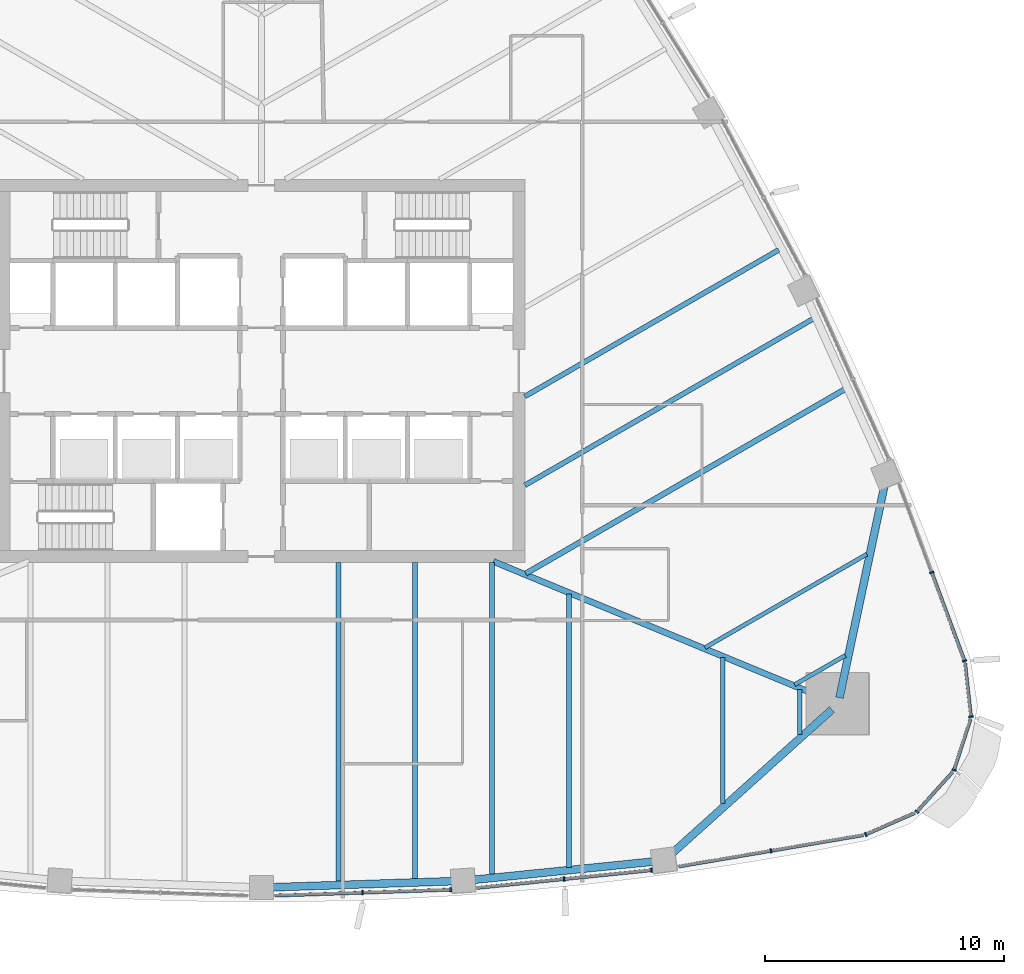
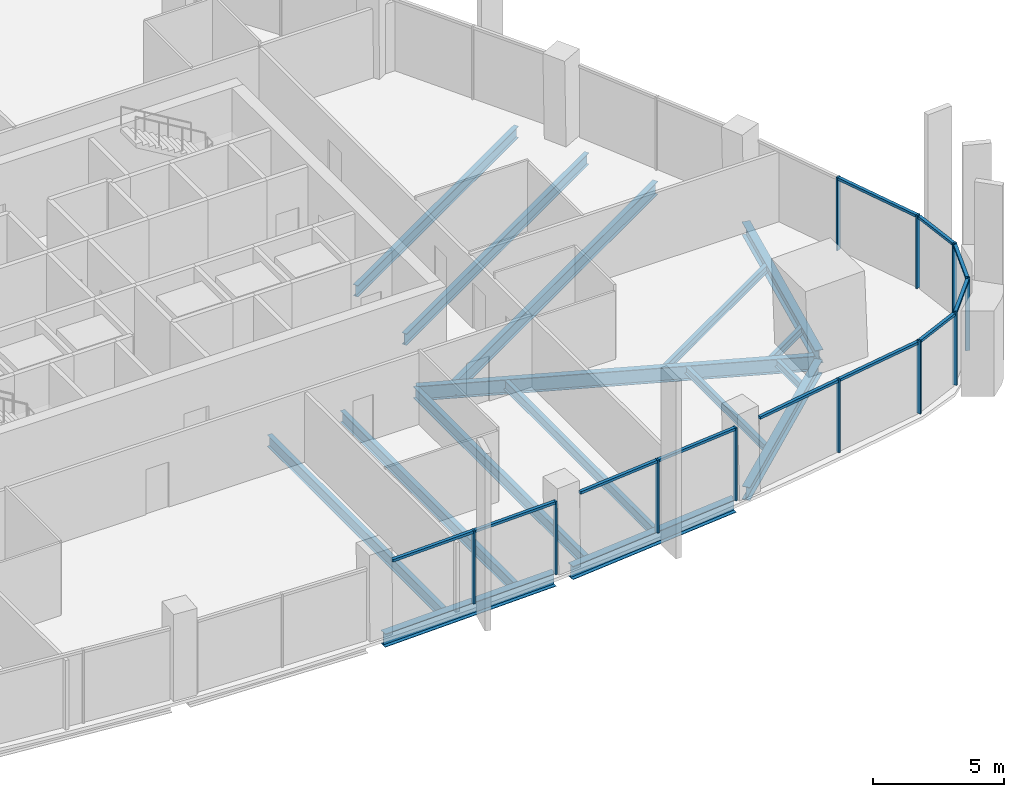
# One storey, part 4 of 20: 22 members, 16 beams, 8 elements without a shape of their own.
"""IFC4 building model written with IfcOpenShell, lengths in metres."""

from ifc_helpers import new_model, si_unit, direction, frame, origin, origin_2d, place, context, subcontext, project, spatial, rectangle, i_section, extrude, material, layer, layer_set, material_profile, profile_set, type_object, element, aggregate, save


model = new_model("IFC4")

# Units and contexts
model_context = context("Model", 3, precision=1e-05, world=origin(), true_north=direction((0.0, 1.0)))
body_context = subcontext(model_context, "Body", "Model", "MODEL_VIEW")
ifc_project = project(units=[si_unit("LENGTHUNIT", "METRE"), si_unit("AREAUNIT", "SQUARE_METRE"), si_unit("VOLUMEUNIT", "CUBIC_METRE"), si_unit("PLANEANGLEUNIT", "RADIAN"), si_unit("MASSUNIT", "GRAM", prefix="KILO")], contexts=[model_context])

# Site, building, storey
site_placement = place(None, origin())
site = spatial("IfcSite", under=ifc_project, at=site_placement, CompositionType="ELEMENT")
building_placement = place(site_placement, origin())
building = spatial("IfcBuilding", under=site, at=building_placement, Name="Sierra Prisma Convention Tower", CompositionType="ELEMENT")
storey_placement = place(building_placement, frame((0.0, 0.0, 161.800048828125)))
storey = spatial("IfcBuildingStorey", under=building, at=storey_placement, Name="L35", CompositionType="ELEMENT", Elevation=161.800048828125)

# Curtain wall, members
ifc_material_1 = material(Name="Aluminium and glass curtain wall", Category="aluminium")
ifc_layer = layer(ifc_material_1, 0.179931640625)
ifc_layer_set = layer_set([ifc_layer], Name="CW-1 Plain shaft curtain wall")
curtain_wall_type = type_object("IfcCurtainWallType", Name="CW-1 Plain shaft curtain wall", PredefinedType="NOTDEFINED", material=ifc_layer_set)
curtain_wall_1_placement = place(storey_placement, origin())
curtain_wall_1 = element("IfcCurtainWall", 1, at=curtain_wall_1_placement, inside=storey, type_object=curtain_wall_type, Name="CW-1 S4 L35", PredefinedType="NOTDEFINED")
ifc_material_2 = material(Name="Aluminium 6063-T6 bronze anodised", Category="aluminium")
ifc_material_profile_1 = material_profile(ifc_material_2, rectangle(XDim=0.179931640625, YDim=0.070068359375, at=origin_2d()), Name="ALU MULLION 70x180")
ifc_profile_set_1 = profile_set([ifc_material_profile_1], Name="Aluminium 6063-T6 bronze anodised")
member_type_1 = type_object("IfcMemberType", Name="CW mullion bronze", PredefinedType="MULLION", material=ifc_profile_set_1)
member_1_placement = place(storey_placement, frame((4.2197265625, -21.7822265625, 0.0), z_axis=(0.0, 0.0, 1.0), x_axis=(-0.033662010401, 0.999433273939, 0.0)))
member_1 = element("IfcMember", 2, at=member_1_placement, type_object=member_type_1, Name="CW-1 mullion S4.2", PredefinedType="MULLION", context=body_context, shape_type="SweptSolid", body=[
    extrude(rectangle(XDim=0.179931640625, YDim=0.070068359375, at=origin_2d()), origin(), (0.0, 0.0, 1.0), 3.39990234375),
])
member_2_placement = place(storey_placement, frame((7.90478515625, -21.657958984375, 0.0), z_axis=(0.0, 0.0, 1.0), x_axis=(-0.033662010401, 0.999433273939, 0.0)))
member_2 = element("IfcMember", 3, at=member_2_placement, type_object=member_type_1, Name="CW-1 mullion S4.3", PredefinedType="MULLION", context=body_context, shape_type="SweptSolid", body=[
    extrude(rectangle(XDim=0.179931640625, YDim=0.070068359375, at=origin_2d()), origin(), (0.0, 0.0, 1.0), 3.39990234375),
])

curtain_wall_2_placement = place(storey_placement, origin())
curtain_wall_2 = element("IfcCurtainWall", 4, at=curtain_wall_2_placement, inside=storey, type_object=curtain_wall_type, Name="CW-1 S5 L35", PredefinedType="NOTDEFINED")
member_3_placement = place(storey_placement, frame((12.63671875, -21.215576171875, 0.0), z_axis=(0.0, 0.0, 1.0), x_axis=(-0.100833457322, 0.994903318863, 0.0)))
member_3 = element("IfcMember", 5, at=member_3_placement, type_object=member_type_1, Name="CW-1 mullion S5.2", PredefinedType="MULLION", context=body_context, shape_type="SweptSolid", body=[
    extrude(rectangle(XDim=0.179931640625, YDim=0.070068359375, at=origin_2d()), origin(), (0.0, 0.0, 1.0), 3.39990234375),
])
member_4_placement = place(storey_placement, frame((16.2890625, -20.84521484375, 0.0), z_axis=(0.0, 0.0, 1.0), x_axis=(-0.100833457322, 0.994903318863, 0.0)))
member_4 = element("IfcMember", 6, at=member_4_placement, type_object=member_type_1, Name="CW-1 mullion S5.3", PredefinedType="MULLION", context=body_context, shape_type="SweptSolid", body=[
    extrude(rectangle(XDim=0.179931640625, YDim=0.070068359375, at=origin_2d()), origin(), (0.0, 0.0, 1.0), 3.39990234375),
])

# Curtain wall, member
curtain_wall_3_placement = place(storey_placement, origin())
curtain_wall_3 = element("IfcCurtainWall", 7, at=curtain_wall_3_placement, inside=storey, type_object=curtain_wall_type, Name="CW-1 S6 L35", PredefinedType="NOTDEFINED")
member_5_placement = place(storey_placement, frame((21.281005859375, -20.03662109375, 0.0), z_axis=(0.0, 0.0, 1.0), x_axis=(-0.167547874218, 0.985863940838, 0.0)))
member_5 = element("IfcMember", 8, at=member_5_placement, type_object=member_type_1, Name="CW-1 mullion S6.2", PredefinedType="MULLION", context=body_context, shape_type="SweptSolid", body=[
    extrude(rectangle(XDim=0.179931640625, YDim=0.070068359375, at=origin_2d()), origin(), (0.0, 0.0, 1.0), 3.39990234375),
])

curtain_wall_4_placement = place(storey_placement, origin())
curtain_wall_4 = element("IfcCurtainWall", 9, at=curtain_wall_4_placement, inside=storey, type_object=curtain_wall_type, Name="CW-1 SE1 L35", PredefinedType="NOTDEFINED")
member_6_placement = place(storey_placement, frame((25.235107421875, -19.35595703125, 0.0), z_axis=(0.0, 0.0, 1.0), x_axis=(-0.401640113381, 0.915797586437, 0.0)))
member_6 = element("IfcMember", 10, at=member_6_placement, type_object=member_type_1, Name="CW-1 mullion SE1.1", PredefinedType="MULLION", context=body_context, shape_type="SweptSolid", body=[
    extrude(rectangle(XDim=0.179931640625, YDim=0.070068359375, at=origin_2d()), origin(), (0.0, 0.0, 1.0), 3.39990234375),
])

curtain_wall_5_placement = place(storey_placement, origin())
curtain_wall_5 = element("IfcCurtainWall", 11, at=curtain_wall_5_placement, inside=storey, type_object=curtain_wall_type, Name="CW-1 SE2 L35", PredefinedType="NOTDEFINED")
member_7_placement = place(storey_placement, frame((27.36962890625, -18.404052734375, 0.0), z_axis=(0.0, 0.0, 1.0), x_axis=(-0.741900753916, 0.670509710101, 0.0)))
member_7 = element("IfcMember", 12, at=member_7_placement, type_object=member_type_1, Name="CW-1 mullion SE2.1", PredefinedType="MULLION", context=body_context, shape_type="SweptSolid", body=[
    extrude(rectangle(XDim=0.179931640625, YDim=0.070068359375, at=origin_2d()), origin(), (0.0, 0.0, 1.0), 3.39990234375),
])

curtain_wall_6_placement = place(storey_placement, origin())
curtain_wall_6 = element("IfcCurtainWall", 13, at=curtain_wall_6_placement, inside=storey, type_object=curtain_wall_type, Name="CW-1 SE3 L35", PredefinedType="NOTDEFINED")
member_8_placement = place(storey_placement, frame((28.92578125, -16.660888671875, 0.0), z_axis=(0.0, 0.0, 1.0), x_axis=(-0.951628819389, 0.307250044928, 0.0)))
member_8 = element("IfcMember", 14, at=member_8_placement, type_object=member_type_1, Name="CW-1 mullion SE3.1", PredefinedType="MULLION", context=body_context, shape_type="SweptSolid", body=[
    extrude(rectangle(XDim=0.179931640625, YDim=0.070068359375, at=origin_2d()), origin(), (0.0, 0.0, 1.0), 3.39990234375),
])

curtain_wall_7_placement = place(storey_placement, origin())
curtain_wall_7 = element("IfcCurtainWall", 15, at=curtain_wall_7_placement, inside=storey, type_object=curtain_wall_type, Name="CW-1 SE4 L35", PredefinedType="NOTDEFINED")
member_9_placement = place(storey_placement, frame((29.630126953125, -14.4326171875, 0.0), z_axis=(0.0, 0.0, 1.0), x_axis=(-0.993924031269, -0.110068251851, 0.0)))
member_9 = element("IfcMember", 16, at=member_9_placement, type_object=member_type_1, Name="CW-1 mullion SE4.1", PredefinedType="MULLION", context=body_context, shape_type="SweptSolid", body=[
    extrude(rectangle(XDim=0.179931640625, YDim=0.070068359375, at=origin_2d()), origin(), (0.0, 0.0, 1.0), 3.39990234375),
])

# Curtain wall, members
curtain_wall_8_placement = place(storey_placement, origin())
curtain_wall_8 = element("IfcCurtainWall", 17, at=curtain_wall_8_placement, inside=storey, type_object=curtain_wall_type, Name="CW-1 NE1 L35", PredefinedType="NOTDEFINED")
member_10_placement = place(storey_placement, frame((29.3642578125, -12.108642578125, 0.0), z_axis=(0.0, 0.0, 1.0), x_axis=(-0.93755715455, -0.347831254997, 0.0)))
member_10 = element("IfcMember", 18, at=member_10_placement, type_object=member_type_1, Name="CW-1 mullion NE1.1", PredefinedType="MULLION", context=body_context, shape_type="SweptSolid", body=[
    extrude(rectangle(XDim=0.179931640625, YDim=0.070068359375, at=origin_2d()), origin(), (0.0, 0.0, 1.0), 3.39990234375),
])
member_11_placement = place(storey_placement, frame((27.99267578125, -8.41162109375, 0.0), z_axis=(0.0, 0.0, 1.0), x_axis=(-0.93755715455, -0.347831254997, 0.0)))
member_11 = element("IfcMember", 19, at=member_11_placement, type_object=member_type_1, Name="CW-1 mullion NE1.2", PredefinedType="MULLION", context=body_context, shape_type="SweptSolid", body=[
    extrude(rectangle(XDim=0.179931640625, YDim=0.070068359375, at=origin_2d()), origin(), (0.0, 0.0, 1.0), 3.39990234375),
])

# Member
ifc_material_3 = material(Name="Aluminium 6063-T6 bronze anodised", Category="aluminium")
ifc_material_profile_2 = material_profile(ifc_material_3, rectangle(XDim=0.139892578125, YDim=0.1201171875, at=origin_2d()), Name="ALU TRANSOM 120x140")
ifc_profile_set_2 = profile_set([ifc_material_profile_2], Name="Aluminium 6063-T6 bronze anodised")
member_type_2 = type_object("IfcMemberType", Name="CW transom bronze", PredefinedType="USERDEFINED", material=ifc_profile_set_2)
member_12_placement = place(storey_placement, frame((0.569580078125, -21.905029296875, 3.33984375), z_axis=(0.999434974984, 0.033611467959, 0.0), x_axis=(-0.033611467959, 0.999434974984, 0.0)))
member_12 = element("IfcMember", 20, at=member_12_placement, type_object=member_type_2, Name="CW-1 transom S4.1", ObjectType="TRANSOM", PredefinedType="USERDEFINED", context=body_context, shape_type="SweptSolid", body=[
    extrude(rectangle(XDim=0.139892578125, YDim=0.1201171875, at=origin_2d()), origin(), (0.0, 0.0, 1.0), 3.6171875),
])

member_13_placement = place(storey_placement, frame((4.254638671875, -21.781005859375, 3.33984375), z_axis=(0.999432705462, 0.033678884389, 0.0), x_axis=(-0.033678884389, 0.999432705462, 0.0)))
member_13 = element("IfcMember", 21, at=member_13_placement, type_object=member_type_2, Name="CW-1 transom S4.2", ObjectType="TRANSOM", PredefinedType="USERDEFINED", context=body_context, shape_type="SweptSolid", body=[
    extrude(rectangle(XDim=0.139892578125, YDim=0.1201171875, at=origin_2d()), origin(), (0.0, 0.0, 1.0), 3.6171875),
])

aggregate(curtain_wall_1, [member_1, member_2, member_12, member_13])

member_14_placement = place(storey_placement, frame((9.01904296875, -21.58203125, 3.33984375), z_axis=(0.994905436132, 0.100812564465, 0.0), x_axis=(-0.100812564465, 0.994905436132, 0.0)))
member_14 = element("IfcMember", 22, at=member_14_placement, type_object=member_type_2, Name="CW-1 transom S5.1", ObjectType="TRANSOM", PredefinedType="USERDEFINED", context=body_context, shape_type="SweptSolid", body=[
    extrude(rectangle(XDim=0.139892578125, YDim=0.1201171875, at=origin_2d()), origin(), (0.0, 0.0, 1.0), 3.60107421875),
])

member_15_placement = place(storey_placement, frame((12.671630859375, -21.2119140625, 3.33984375), z_axis=(0.994905436132, 0.100812564465, 0.0), x_axis=(-0.100812564465, 0.994905436132, 0.0)))
member_15 = element("IfcMember", 23, at=member_15_placement, type_object=member_type_2, Name="CW-1 transom S5.2", ObjectType="TRANSOM", PredefinedType="USERDEFINED", context=body_context, shape_type="SweptSolid", body=[
    extrude(rectangle(XDim=0.139892578125, YDim=0.1201171875, at=origin_2d()), origin(), (0.0, 0.0, 1.0), 3.60107421875),
])

aggregate(curtain_wall_2, [member_3, member_4, member_14, member_15])

member_16_placement = place(storey_placement, frame((17.427734375, -20.69140625, 3.33984375), z_axis=(0.985865946727, 0.167536070993, 0.0), x_axis=(-0.167536070993, 0.985865946727, 0.0)))
member_16 = element("IfcMember", 24, at=member_16_placement, type_object=member_type_2, Name="CW-1 transom S6.1", ObjectType="TRANSOM", PredefinedType="USERDEFINED", context=body_context, shape_type="SweptSolid", body=[
    extrude(rectangle(XDim=0.139892578125, YDim=0.1201171875, at=origin_2d()), origin(), (0.0, 0.0, 1.0), 3.873291015625),
])

member_17_placement = place(storey_placement, frame((21.3154296875, -20.03076171875, 3.33984375), z_axis=(0.985855534243, 0.167597331728, 0.0), x_axis=(-0.167597331728, 0.985855534243, 0.0)))
member_17 = element("IfcMember", 25, at=member_17_placement, type_object=member_type_2, Name="CW-1 transom S6.2", ObjectType="TRANSOM", PredefinedType="USERDEFINED", context=body_context, shape_type="SweptSolid", body=[
    extrude(rectangle(XDim=0.139892578125, YDim=0.1201171875, at=origin_2d()), origin(), (0.0, 0.0, 1.0), 3.873291015625),
])

aggregate(curtain_wall_3, [member_5, member_16, member_17])

member_18_placement = place(storey_placement, frame((25.267333984375, -19.341796875, 3.33984375), z_axis=(0.915800383428, 0.401633735776, 0.0), x_axis=(-0.401633735776, 0.915800383428, 0.0)))
member_18 = element("IfcMember", 26, at=member_18_placement, type_object=member_type_2, Name="CW-1 transom SE1.1", ObjectType="TRANSOM", PredefinedType="USERDEFINED", context=body_context, shape_type="SweptSolid", body=[
    extrude(rectangle(XDim=0.139892578125, YDim=0.1201171875, at=origin_2d()), origin(), (0.0, 0.0, 1.0), 2.199951171875),
])

aggregate(curtain_wall_4, [member_6, member_18])

member_19_placement = place(storey_placement, frame((27.39306640625, -18.378173828125, 3.33984375), z_axis=(0.670526748458, 0.741885354757, 0.0), x_axis=(-0.741885354757, 0.670526748458, 0.0)))
member_19 = element("IfcMember", 27, at=member_19_placement, type_object=member_type_2, Name="CW-1 transom SE2.1", ObjectType="TRANSOM", PredefinedType="USERDEFINED", context=body_context, shape_type="SweptSolid", body=[
    extrude(rectangle(XDim=0.139892578125, YDim=0.1201171875, at=origin_2d()), origin(), (0.0, 0.0, 1.0), 2.199951171875),
])

aggregate(curtain_wall_5, [member_7, member_19])

member_20_placement = place(storey_placement, frame((28.9365234375, -16.62744140625, 3.33984375), z_axis=(0.307291344121, 0.951615484231, 0.0), x_axis=(-0.951615484231, 0.307291344121, 0.0)))
member_20 = element("IfcMember", 28, at=member_20_placement, type_object=member_type_2, Name="CW-1 transom SE3.1", ObjectType="TRANSOM", PredefinedType="USERDEFINED", context=body_context, shape_type="SweptSolid", body=[
    extrude(rectangle(XDim=0.139892578125, YDim=0.1201171875, at=origin_2d()), origin(), (0.0, 0.0, 1.0), 2.199951171875),
])

aggregate(curtain_wall_6, [member_8, member_20])

member_21_placement = place(storey_placement, frame((29.626220703125, -14.397705078125, 3.33984375), z_axis=(-0.110090464338, 0.993921571182, 0.0), x_axis=(-0.993921571182, -0.110090464338, 0.0)))
member_21 = element("IfcMember", 29, at=member_21_placement, type_object=member_type_2, Name="CW-1 transom SE4.1", ObjectType="TRANSOM", PredefinedType="USERDEFINED", context=body_context, shape_type="SweptSolid", body=[
    extrude(rectangle(XDim=0.139892578125, YDim=0.1201171875, at=origin_2d()), origin(), (0.0, 0.0, 1.0), 2.199951171875),
])

aggregate(curtain_wall_7, [member_9, member_21])

member_22_placement = place(storey_placement, frame((29.35205078125, -12.075927734375, 3.33984375), z_axis=(-0.34779878026, 0.937569201952, 0.0), x_axis=(-0.937569201952, -0.34779878026, 0.0)))
member_22 = element("IfcMember", 30, at=member_22_placement, type_object=member_type_2, Name="CW-1 transom NE1.1", ObjectType="TRANSOM", PredefinedType="USERDEFINED", context=body_context, shape_type="SweptSolid", body=[
    extrude(rectangle(XDim=0.139892578125, YDim=0.1201171875, at=origin_2d()), origin(), (0.0, 0.0, 1.0), 3.873291015625),
])

aggregate(curtain_wall_8, [member_10, member_11, member_22])

# Beams
ifc_material_4 = material(Name="Steel ASTM A992 Gr 50", Category="steel")
ifc_material_profile_3 = material_profile(ifc_material_4, i_section(OverallWidth=0.172119140625, OverallDepth=0.35791015625, WebThickness=0.0078125, FlangeThickness=0.01318359375, at=origin_2d()), Name="W360x57")
ifc_profile_set_3 = profile_set([ifc_material_profile_3], Name="Steel ASTM A992 Gr 50")
beam_type_1 = type_object("IfcBeamType", Name="Floor joist W360x57", PredefinedType="JOIST", material=ifc_profile_set_3)
beam_1_placement = place(storey_placement, frame((19.26708984375, -18.069091796875, -0.3291015625), z_axis=(0.0, 1.0, 0.0), x_axis=(-1.0, 0.0, 0.0)))
element("IfcBeam", 31, at=beam_1_placement, inside=storey, type_object=beam_type_1, Name="Floor joist L35 S14", PredefinedType="JOIST", context=body_context, shape_type="SweptSolid", body=[
    extrude(i_section(OverallWidth=0.172119140625, OverallDepth=0.35791015625, WebThickness=0.0078125, FlangeThickness=0.01318359375, at=origin_2d()), origin(), (0.0, 0.0, 1.0), 6.1005859375),
])
beam_2_placement = place(storey_placement, frame((22.478271484375, -15.180419921875, -0.3291015625), z_axis=(0.0, 1.0, 0.0), x_axis=(-1.0, 0.0, 0.0)))
element("IfcBeam", 32, at=beam_2_placement, inside=storey, type_object=beam_type_1, Name="Floor joist L35 S15", PredefinedType="JOIST", context=body_context, shape_type="SweptSolid", body=[
    extrude(i_section(OverallWidth=0.172119140625, OverallDepth=0.35791015625, WebThickness=0.0078125, FlangeThickness=0.01318359375, at=origin_2d()), origin(), (0.0, 0.0, 1.0), 1.88427734375),
])
beam_3_placement = place(storey_placement, frame((24.385986328125, -11.87646484375, -0.3291015625), z_axis=(-0.86604760459, -0.499961545105, 0.0), x_axis=(0.499961545105, -0.86604760459, 0.0)))
element("IfcBeam", 33, at=beam_3_placement, inside=storey, type_object=beam_type_1, Name="Floor joist L35 NE01", PredefinedType="JOIST", context=body_context, shape_type="SweptSolid", body=[
    extrude(i_section(OverallWidth=0.172119140625, OverallDepth=0.35791015625, WebThickness=0.0078125, FlangeThickness=0.01318359375, at=origin_2d()), origin(), (0.0, 0.0, 1.0), 2.445556640625),
])
beam_4_placement = place(storey_placement, frame((25.281982421875, -7.651123046875, -0.3291015625), z_axis=(-0.866027689687, -0.49999604068, 0.0), x_axis=(0.49999604068, -0.866027689687, 0.0)))
element("IfcBeam", 34, at=beam_4_placement, inside=storey, type_object=beam_type_1, Name="Floor joist L35 NE02", PredefinedType="JOIST", context=body_context, shape_type="SweptSolid", body=[
    extrude(i_section(OverallWidth=0.172119140625, OverallDepth=0.35791015625, WebThickness=0.0078125, FlangeThickness=0.01318359375, at=origin_2d()), origin(), (0.0, 0.0, 1.0), 7.8017578125),
])
ifc_material_5 = material(Name="Steel ASTM A992 Gr 50", Category="steel")
ifc_material_profile_4 = material_profile(ifc_material_5, i_section(OverallWidth=0.18994140625, OverallDepth=0.45703125, WebThickness=0.009033203125, FlangeThickness=0.014404296875, at=origin_2d()), Name="W460x74")
ifc_profile_set_4 = profile_set([ifc_material_profile_4], Name="Steel ASTM A992 Gr 50")
beam_type_2 = type_object("IfcBeamType", Name="Floor joist W460x74", PredefinedType="JOIST", material=ifc_profile_set_4)
beam_5_placement = place(storey_placement, frame((12.8447265625, -20.7294921875, -0.378662109375), z_axis=(0.0, 1.0, 0.0), x_axis=(-1.0, 0.0, 0.0)))
element("IfcBeam", 35, at=beam_5_placement, inside=storey, type_object=beam_type_2, Name="Floor joist L35 S12", PredefinedType="JOIST", context=body_context, shape_type="SweptSolid", body=[
    extrude(i_section(OverallWidth=0.18994140625, OverallDepth=0.45703125, WebThickness=0.009033203125, FlangeThickness=0.014404296875, at=origin_2d()), origin(), (0.0, 0.0, 1.0), 11.415771484375),
])
ifc_material_6 = material(Name="Steel ASTM A992 Gr 50", Category="steel")
ifc_material_profile_5 = material_profile(ifc_material_6, i_section(OverallWidth=0.208984375, OverallDepth=0.532958984375, WebThickness=0.01025390625, FlangeThickness=0.015625, at=origin_2d()), Name="W530x92")
ifc_profile_set_5 = profile_set([ifc_material_profile_5], Name="Steel ASTM A992 Gr 50")
beam_type_3 = type_object("IfcBeamType", Name="Floor joist W530x92", PredefinedType="JOIST", material=ifc_profile_set_5)
beam_6_placement = place(storey_placement, frame((3.211181640625, -21.353515625, -0.41650390625), z_axis=(0.0, 1.0, 0.0), x_axis=(-1.0, 0.0, 0.0)))
element("IfcBeam", 36, at=beam_6_placement, inside=storey, type_object=beam_type_3, Name="Floor joist L35 S09", PredefinedType="JOIST", context=body_context, shape_type="SweptSolid", body=[
    extrude(i_section(OverallWidth=0.208984375, OverallDepth=0.532958984375, WebThickness=0.01025390625, FlangeThickness=0.015625, at=origin_2d()), origin(), (0.0, 0.0, 1.0), 13.353515625),
])
beam_7_placement = place(storey_placement, frame((6.42236328125, -21.245361328125, -0.41650390625), z_axis=(0.0, 1.0, 0.0), x_axis=(-1.0, 0.0, 0.0)))
element("IfcBeam", 37, at=beam_7_placement, inside=storey, type_object=beam_type_3, Name="Floor joist L35 S10", PredefinedType="JOIST", context=body_context, shape_type="SweptSolid", body=[
    extrude(i_section(OverallWidth=0.208984375, OverallDepth=0.532958984375, WebThickness=0.01025390625, FlangeThickness=0.015625, at=origin_2d()), origin(), (0.0, 0.0, 1.0), 13.245361328125),
])
beam_8_placement = place(storey_placement, frame((9.633544921875, -21.054931640625, -0.41650390625), z_axis=(0.0, 1.0, 0.0), x_axis=(-1.0, 0.0, 0.0)))
element("IfcBeam", 38, at=beam_8_placement, inside=storey, type_object=beam_type_3, Name="Floor joist L35 S11", PredefinedType="JOIST", context=body_context, shape_type="SweptSolid", body=[
    extrude(i_section(OverallWidth=0.208984375, OverallDepth=0.532958984375, WebThickness=0.01025390625, FlangeThickness=0.015625, at=origin_2d()), origin(), (0.0, 0.0, 1.0), 13.054931640625),
])
beam_9_placement = place(storey_placement, frame((23.05078125, 2.1845703125, -0.41650390625), z_axis=(-0.866025474342, -0.499999877791, 0.0), x_axis=(0.499999877791, -0.866025474342, 0.0)))
element("IfcBeam", 39, at=beam_9_placement, inside=storey, type_object=beam_type_3, Name="Floor joist L35 NE05", PredefinedType="JOIST", context=body_context, shape_type="SweptSolid", body=[
    extrude(i_section(OverallWidth=0.208984375, OverallDepth=0.532958984375, WebThickness=0.01025390625, FlangeThickness=0.015625, at=origin_2d()), origin(), (0.0, 0.0, 1.0), 13.9150390625),
])
beam_10_placement = place(storey_placement, frame((21.610107421875, 5.060791015625, -0.41650390625), z_axis=(-0.866025967667, -0.499999023326, 0.0), x_axis=(0.499999023326, -0.866025967667, 0.0)))
element("IfcBeam", 40, at=beam_10_placement, inside=storey, type_object=beam_type_3, Name="Floor joist L35 NE06", PredefinedType="JOIST", context=body_context, shape_type="SweptSolid", body=[
    extrude(i_section(OverallWidth=0.208984375, OverallDepth=0.532958984375, WebThickness=0.01025390625, FlangeThickness=0.015625, at=origin_2d()), origin(), (0.0, 0.0, 1.0), 12.25146484375),
])
ifc_material_7 = material(Name="Steel ASTM A992 Gr 50", Category="steel")
ifc_material_profile_6 = material_profile(ifc_material_7, i_section(OverallWidth=0.22802734375, OverallDepth=0.60302734375, WebThickness=0.010498046875, FlangeThickness=0.014892578125, at=origin_2d()), Name="W610x101")
ifc_profile_set_6 = profile_set([ifc_material_profile_6], Name="Steel ASTM A992 Gr 50")
beam_type_4 = type_object("IfcBeamType", Name="Floor joist W610x101", PredefinedType="JOIST", material=ifc_profile_set_6)
beam_11_placement = place(storey_placement, frame((24.37451171875, -0.759033203125, -0.45166015625), z_axis=(-0.866019496622, -0.500010231365, 0.0), x_axis=(0.500010231365, -0.866019496622, 0.0)))
element("IfcBeam", 41, at=beam_11_placement, inside=storey, type_object=beam_type_4, Name="Floor joist L35 NE04", PredefinedType="JOIST", context=body_context, shape_type="SweptSolid", body=[
    extrude(i_section(OverallWidth=0.22802734375, OverallDepth=0.60302734375, WebThickness=0.010498046875, FlangeThickness=0.014892578125, at=origin_2d()), origin(), (0.0, 0.0, 1.0), 15.397216796875),
])
ifc_material_8 = material(Name="Steel ASTM A992 Gr 50", Category="steel")
ifc_material_profile_7 = material_profile(ifc_material_8, i_section(OverallWidth=0.25390625, OverallDepth=0.68408203125, WebThickness=0.012451171875, FlangeThickness=0.018798828125, at=origin_2d()), Name="W690x140")
ifc_profile_set_7 = profile_set([ifc_material_profile_7], Name="Steel ASTM A992 Gr 50")
beam_type_5 = type_object("IfcBeamType", Name="Radial girder W690x140", PredefinedType="BEAM", material=ifc_profile_set_7)
beam_12_placement = place(storey_placement, frame((23.82373046875, -13.79736328125, -0.491943359375), z_axis=(-0.924143962041, 0.382044418128, 0.0), x_axis=(-0.382044418128, -0.924143962041, 0.0)))
element("IfcBeam", 42, at=beam_12_placement, inside=storey, type_object=beam_type_5, Name="Radial girder L35 SE", PredefinedType="BEAM", context=body_context, shape_type="SweptSolid", body=[
    extrude(i_section(OverallWidth=0.25390625, OverallDepth=0.68408203125, WebThickness=0.012451171875, FlangeThickness=0.018798828125, at=origin_2d()), origin(), (0.0, 0.0, 1.0), 15.294677734375),
])
ifc_material_9 = material(Name="Steel ASTM A992 Gr 50", Category="steel")
ifc_material_profile_8 = material_profile(ifc_material_9, i_section(OverallWidth=0.324951171875, OverallDepth=0.615966796875, WebThickness=0.013916015625, FlangeThickness=0.021484375, at=origin_2d()), Name="W610x174")
ifc_profile_set_8 = profile_set([ifc_material_profile_8], Name="Steel ASTM A992 Gr 50")
beam_type_6 = type_object("IfcBeamType", Name="Spandrel beam W610x174", PredefinedType="BEAM", material=ifc_profile_set_8)
for number, where, z_axis, x_axis, name in (
    (43, (0.380126953125, -21.5615234375, -0.4580078125), (0.999433155767, 0.033665518762, 0.0), (-0.033665518762, 0.999433155767, 0.0), "Spandrel L35-04"),
    (44, (8.806884765625, -21.251953125, -0.4580078125), (0.994903033601, 0.1008362719, 0.0), (-0.1008362719, 0.994903033601, 0.0), "Spandrel L35-05"),
):
    element("IfcBeam", number, at=place(storey_placement, frame(where, z_axis=z_axis, x_axis=x_axis)), inside=storey, type_object=beam_type_6, Name=name, PredefinedType="BEAM", context=body_context, shape_type="SweptSolid", body=[
        extrude(i_section(OverallWidth=0.324951171875, OverallDepth=0.615966796875, WebThickness=0.013916015625, FlangeThickness=0.021484375, at=origin_2d()), origin(), (0.0, 0.0, 1.0), 7.672607421875),
    ])
beam_13_placement = place(storey_placement, frame((17.179443359375, -20.11572265625, -0.4580078125), z_axis=(0.743450334747, 0.66879114809, 0.0), x_axis=(-0.66879114809, 0.743450334747, 0.0)))
element("IfcBeam", 45, at=beam_13_placement, inside=storey, type_object=beam_type_6, Name="Spandrel L35-06", PredefinedType="BEAM", context=body_context, shape_type="SweptSolid", body=[
    extrude(i_section(OverallWidth=0.324951171875, OverallDepth=0.615966796875, WebThickness=0.013916015625, FlangeThickness=0.021484375, at=origin_2d()), origin(), (0.0, 0.0, 1.0), 8.93701171875),
])
beam_14_placement = place(storey_placement, frame((24.138916015625, -13.644775390625, -0.4580078125), z_axis=(0.207464184579, 0.978242614139, 0.0), x_axis=(-0.978242614139, 0.207464184579, 0.0)))
element("IfcBeam", 46, at=beam_14_placement, inside=storey, type_object=beam_type_6, Name="Spandrel L35-07", PredefinedType="BEAM", context=body_context, shape_type="SweptSolid", body=[
    extrude(i_section(OverallWidth=0.324951171875, OverallDepth=0.615966796875, WebThickness=0.013916015625, FlangeThickness=0.021484375, at=origin_2d()), origin(), (0.0, 0.0, 1.0), 9.021240234375),
])

save(model, "model.ifc")
